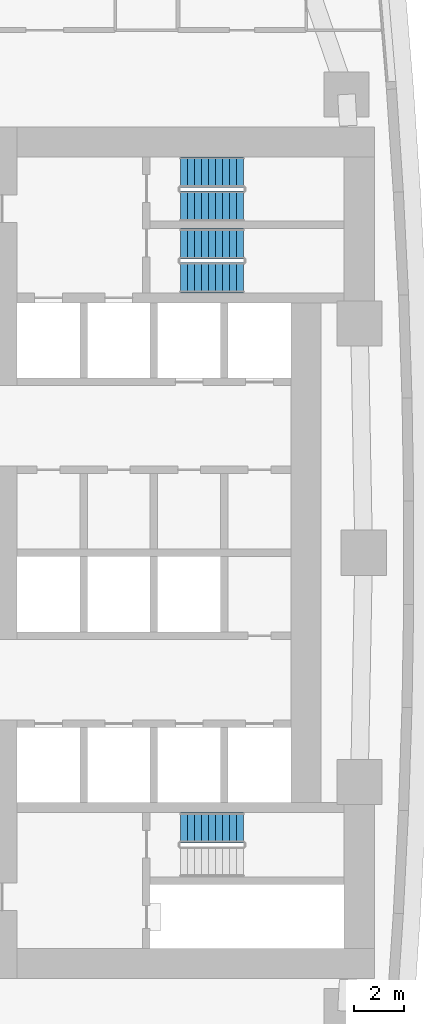
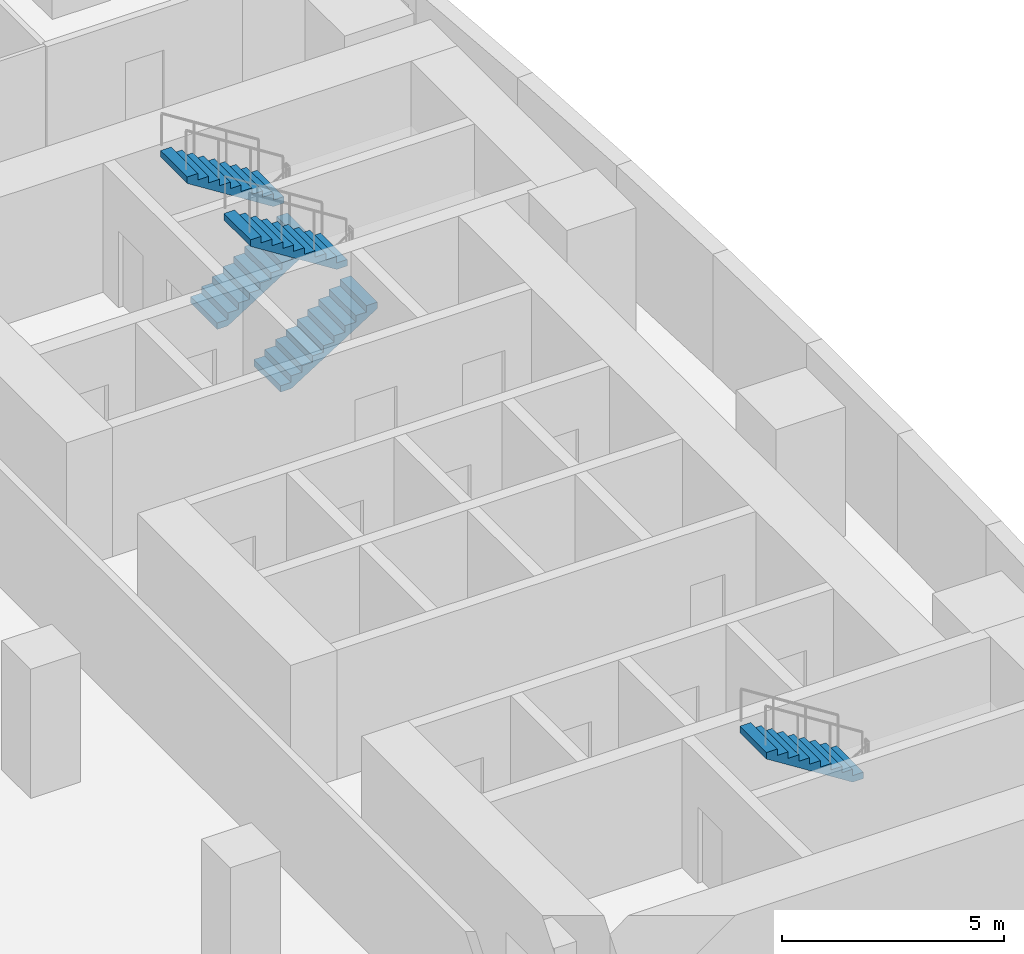
# One storey, part 14 of 19: 5 stair flights, 3 elements without a shape of their own.
"""IFC4 building model written with IfcOpenShell, lengths in metres."""

import ifcopenshell
import ifcopenshell.guid

model = None  # the IFC model being written
_history = None  # IfcOwnerHistory: only IFC2X3 demands one
_inside = {}  # id of a spatial element -> (the spatial element, [elements in it])
_under = {}  # id of a project, library or spatial element -> (it, [spatial elements below it])
_declared = {}  # id of a project -> (the project, [libraries it declares])
_typed = {}  # id of a type object -> (the type object, [elements of that type])
_made_of = {}  # id of a material, layer set ... -> (it, [elements and type objects made of it])


def new_model(schema):
    """Start an empty IFC model of exactly this schema.

    Asked for "IFC4X3", IfcOpenShell would pick the latest addendum, in which some entities
    have other attributes; the version numbers below select the first issue.
    IFC2X3 requires an IfcOwnerHistory on every rooted entity: one is made here for all.
    """
    global model, _history
    if schema == "IFC4X3":
        model = ifcopenshell.file(schema_version=(4, 3, 0, 0))
    else:
        model = ifcopenshell.file(schema=schema)
    _inside.clear()
    _under.clear()
    _declared.clear()
    _typed.clear()
    _made_of.clear()
    _history = None
    if model.schema == "IFC2X3":
        org = make("IfcOrganization", Name="unknown")
        user = make(
            "IfcPersonAndOrganization",
            ThePerson=make("IfcPerson", FamilyName="unknown"),
            TheOrganization=org,
        )
        app = make(
            "IfcApplication",
            ApplicationDeveloper=org,
            Version="unknown",
            ApplicationFullName="unknown",
            ApplicationIdentifier="unknown",
        )
        _history = make(
            "IfcOwnerHistory",
            OwningUser=user,
            OwningApplication=app,
            ChangeAction="ADDED",
            CreationDate=0,
        )
    return model


def make(cls, **values):
    """One entity of the class cls with the attributes given. An attribute that is None is left unset."""
    return model.create_entity(
        cls, **{name: value for name, value in values.items() if value is not None}
    )


def rooted(cls, **values):
    """An entity with a GlobalId (a new one), such as an element, a storey or a relation."""
    return make(cls, GlobalId=ifcopenshell.guid.new(), OwnerHistory=_history, **values)


def si_unit(unit_type, name, prefix=None):
    """IfcSIUnit, for example si_unit("LENGTHUNIT", "METRE", prefix="MILLI")."""
    return make("IfcSIUnit", UnitType=unit_type, Prefix=prefix, Name=name)


def assignment(units):
    """IfcUnitAssignment: the units of a project."""
    return None if units is None else make("IfcUnitAssignment", Units=units)


def point(xyz):
    """IfcCartesianPoint."""
    return None if xyz is None else make("IfcCartesianPoint", Coordinates=xyz)


def direction(xyz):
    """IfcDirection."""
    return None if xyz is None else make("IfcDirection", DirectionRatios=xyz)


def frame(location, z_axis=None, x_axis=None):
    """IfcAxis2Placement3D, a coordinate frame: its origin and axes. An axis left out is left unset."""
    return make(
        "IfcAxis2Placement3D",
        Location=point(location),
        Axis=direction(z_axis),
        RefDirection=direction(x_axis),
    )


def origin():
    """The frame at (0, 0, 0) with its axes left unset."""
    return frame((0.0, 0.0, 0.0))


def place(relative_to, where):
    """IfcLocalPlacement: puts the frame where relative to a parent placement (None: the world)."""
    return make(
        "IfcLocalPlacement", PlacementRelTo=relative_to, RelativePlacement=where
    )


def context(
    kind, dimensions, precision=None, world=None, true_north=None, identifier=None
):
    """IfcGeometricRepresentationContext, for example the 3D "Model" context."""
    return make(
        "IfcGeometricRepresentationContext",
        ContextIdentifier=identifier,
        ContextType=kind,
        CoordinateSpaceDimension=dimensions,
        Precision=precision,
        WorldCoordinateSystem=world,
        TrueNorth=true_north,
    )


def subcontext(parent, identifier, kind, view, scale=None):
    """IfcGeometricRepresentationSubContext, for example "Body" below "Model"."""
    return make(
        "IfcGeometricRepresentationSubContext",
        ContextIdentifier=identifier,
        ContextType=kind,
        ParentContext=parent,
        TargetScale=scale,
        TargetView=view,
    )


def project(units=None, contexts=None):
    """IfcProject with its units and contexts."""
    return rooted(
        "IfcProject",
        Name="project",
        RepresentationContexts=contexts,
        UnitsInContext=assignment(units),
    )


def spatial(cls, under=None, at=None, **own):
    """A site, building, storey or space (cls), placed at a placement, below another one or the project."""
    s = rooted(cls, ObjectPlacement=at, **own)
    if under is not None:
        _under.setdefault(under.id(), (under, []))[1].append(s)
    return s


def polyline(points):
    """IfcPolyline through the points."""
    return make("IfcPolyline", Points=[point(p) for p in points])


def outline(outer, holes=None, kind="AREA"):
    """IfcArbitraryClosedProfileDef: a profile drawn as a closed curve; with holes, ...WithVoids."""
    if holes is None:
        return make("IfcArbitraryClosedProfileDef", ProfileType=kind, OuterCurve=outer)
    return make(
        "IfcArbitraryProfileDefWithVoids",
        ProfileType=kind,
        OuterCurve=outer,
        InnerCurves=holes,
    )


def extrude(swept, where, along, depth):
    """IfcExtrudedAreaSolid: the profile swept, set in the frame where, extruded along a direction by depth."""
    return make(
        "IfcExtrudedAreaSolid",
        SweptArea=swept,
        Position=where,
        ExtrudedDirection=direction(along),
        Depth=depth,
    )


def shape(context_of_items, identifier, shape_type, items):
    """IfcShapeRepresentation: the items that make up one representation, for example the "Body"."""
    return make(
        "IfcShapeRepresentation",
        ContextOfItems=context_of_items,
        RepresentationIdentifier=identifier,
        RepresentationType=shape_type,
        Items=items,
    )


def material(Name=None, Category=None):
    """IfcMaterial."""
    return make("IfcMaterial", Name=Name, Category=Category)


def made_of(thing, what):
    """Note that an element or type object is made of a material, layer set ...; save() writes the relation."""
    if what is not None:
        _made_of.setdefault(what.id(), (what, []))[1].append(thing)
    return thing


def type_object(cls, material=None, **own):
    """A type object (cls), such as IfcWallType, which elements share."""
    return made_of(rooted(cls, **own), material)


def element(
    cls,
    number,
    at=None,
    inside=None,
    cuts=None,
    type_object=None,
    material=None,
    context=None,
    identifier="Body",
    shape_type=None,
    held_by="IfcProductDefinitionShape",
    body=None,
    shapes=None,
    **own,
):
    """One element of the class cls, such as IfcWall. Its Tag is "e" and its number.

    at: its placement. inside: the storey or other place that contains it. cuts: it is an
    opening in that element (IfcRelVoidsElement). A single representation is given by context,
    identifier, shape_type and body (its items); several are given by shapes. held_by: the class
    of the entity that holds the representations. save() writes the other relations.
    """
    e = rooted(cls, Tag="e%d" % number, ObjectPlacement=at, **own)
    if body is not None:
        shapes = [shape(context, identifier, shape_type, body)]
    if shapes is not None:
        e.Representation = make(held_by, Representations=shapes)
    if inside is not None:
        _inside.setdefault(inside.id(), (inside, []))[1].append(e)
    if cuts is not None:
        rooted(
            "IfcRelVoidsElement", RelatingBuildingElement=cuts, RelatedOpeningElement=e
        )
    if type_object is not None:
        _typed.setdefault(type_object.id(), (type_object, []))[1].append(e)
    return made_of(e, material)


def aggregate(whole, parts):
    """IfcRelAggregates: a whole, such as a stair, and the parts it consists of."""
    return rooted("IfcRelAggregates", RelatingObject=whole, RelatedObjects=parts)


def save(model, path):
    """Write the relations noted so far, then the file.

    IfcRelAggregates (storeys below a building ...), IfcRelContainedInSpatialStructure (elements
    in a storey), IfcRelDefinesByType, IfcRelAssociatesMaterial and IfcRelDeclares: one each for
    every whole, place, type object, material and project.
    """
    for whole, parts in _under.values():
        aggregate(whole, parts)
    for where, things in _inside.values():
        rooted(
            "IfcRelContainedInSpatialStructure",
            RelatedElements=things,
            RelatingStructure=where,
        )
    for kind, things in _typed.values():
        rooted("IfcRelDefinesByType", RelatedObjects=things, RelatingType=kind)
    for what, things in _made_of.values():
        rooted("IfcRelAssociatesMaterial", RelatedObjects=things, RelatingMaterial=what)
    for by, libraries in _declared.values():
        rooted("IfcRelDeclares", RelatingContext=by, RelatedDefinitions=libraries)
    model.write(path)


model = new_model("IFC4")

# Units and contexts
model_context = context("Model", 3, precision=1e-05, world=origin(), true_north=direction((0.0, 1.0)))
body_context = subcontext(model_context, "Body", "Model", "MODEL_VIEW")
ifc_project = project(units=[si_unit("LENGTHUNIT", "METRE"), si_unit("AREAUNIT", "SQUARE_METRE"), si_unit("VOLUMEUNIT", "CUBIC_METRE"), si_unit("PLANEANGLEUNIT", "RADIAN"), si_unit("MASSUNIT", "GRAM", prefix="KILO")], contexts=[model_context])

# Site, building, storey
site_placement = place(None, origin())
site = spatial("IfcSite", under=ifc_project, at=site_placement, CompositionType="ELEMENT")
building_placement = place(site_placement, origin())
building = spatial("IfcBuilding", under=site, at=building_placement, Name="Ostrand Prow Hotel Tower", CompositionType="ELEMENT")
storey_placement = place(building_placement, frame((0.0, 0.0, 60.89990234375)))
storey = spatial("IfcBuildingStorey", under=building, at=storey_placement, Name="L13", CompositionType="ELEMENT", Elevation=60.89990234375)

# Stair, stair flights
ifc_material_1 = material(Name="Concrete C40/50", Category="concrete")
stair_type = type_object("IfcStairType", Name="Exit stair 1200 upper zone", PredefinedType="HALF_TURN_STAIR", material=ifc_material_1)
stair_1_placement = place(storey_placement, origin())
stair_1 = element("IfcStair", 1, at=stair_1_placement, inside=storey, type_object=stair_type, Name="L13 ST1C", PredefinedType="HALF_TURN_STAIR")
ifc_material_2 = material(Name="Concrete C40/50", Category="concrete")
stair_flight_type = type_object("IfcStairFlightType", Name="Stair flight 1200 concrete", PredefinedType="STRAIGHT", material=ifc_material_2)
stair_flight_1_placement = place(storey_placement, frame((57.199951171875, 10.949951171875, 0.0), z_axis=(0.0, 0.0, 1.0), x_axis=(1.0, 0.0, 0.0)))
stair_flight_1 = element("IfcStairFlight", 2, at=stair_flight_1_placement, type_object=stair_flight_type, Name="ST1C flight 1", NumberOfRisers=10, NumberOfTreads=9, PredefinedType="STRAIGHT", RiserHeight=0.1775, TreadLength=0.28, context=body_context, shape_type="SweptSolid", body=[
    extrude(outline(polyline([(0.0, 0.0), (0.0, 0.177490234375), (0.280029296875, 0.177490234375), (0.280029296875, 0.35498046875), (0.56005859375, 0.35498046875), (0.56005859375, 0.532470703125), (0.840087890625, 0.532470703125), (0.840087890625, 0.7099609375), (1.1201171875, 0.7099609375), (1.1201171875, 0.887451171875), (1.39990234375, 0.887451171875), (1.39990234375, 1.06494140625), (1.679931640625, 1.06494140625), (1.679931640625, 1.242431640625), (1.9599609375, 1.242431640625), (1.9599609375, 1.419921875), (2.239990234375, 1.419921875), (2.239990234375, 1.597412109375), (2.52001953125, 1.597412109375), (2.52001953125, 1.77490234375), (2.52001953125, 1.419921875), (0.280029296875, 0.0), (0.0, 0.0)])), frame((0.0, 0.60009765625, 0.0), z_axis=(0.0, -1.0, 0.0), x_axis=(1.0, 0.0, 0.0)), (0.0, 0.0, 1.0), 1.199951171875),
])
stair_flight_2_placement = place(storey_placement, frame((59.719970703125, 12.300048828125, 1.775146484375), z_axis=(0.0, 0.0, 1.0), x_axis=(-1.0, 0.0, 0.0)))
stair_flight_2 = element("IfcStairFlight", 3, at=stair_flight_2_placement, type_object=stair_flight_type, Name="ST1C flight 2", NumberOfRisers=10, NumberOfTreads=9, PredefinedType="STRAIGHT", RiserHeight=0.1775, TreadLength=0.28, context=body_context, shape_type="SweptSolid", body=[
    extrude(outline(polyline([(0.0, 0.0), (0.0, 0.177490234375), (0.280029296875, 0.177490234375), (0.280029296875, 0.35498046875), (0.56005859375, 0.35498046875), (0.56005859375, 0.532470703125), (0.840087890625, 0.532470703125), (0.840087890625, 0.7099609375), (1.1201171875, 0.7099609375), (1.1201171875, 0.887451171875), (1.39990234375, 0.887451171875), (1.39990234375, 1.06494140625), (1.679931640625, 1.06494140625), (1.679931640625, 1.242431640625), (1.9599609375, 1.242431640625), (1.9599609375, 1.419921875), (2.239990234375, 1.419921875), (2.239990234375, 1.597412109375), (2.52001953125, 1.597412109375), (2.52001953125, 1.77490234375), (2.52001953125, 1.419921875), (0.280029296875, 0.0), (0.0, 0.0)])), frame((0.0, 0.60009765625, 0.0), z_axis=(0.0, -1.0, 0.0), x_axis=(1.0, 0.0, 0.0)), (0.0, 0.0, 1.0), 1.199951171875),
])
aggregate(stair_1, [stair_flight_1, stair_flight_2])

stair_2_placement = place(storey_placement, origin())
stair_2 = element("IfcStair", 4, at=stair_2_placement, inside=storey, type_object=stair_type, Name="L13 ST3C", PredefinedType="HALF_TURN_STAIR")
stair_flight_3_placement = place(storey_placement, frame((57.199951171875, 13.800048828125, 0.0), z_axis=(0.0, 0.0, 1.0), x_axis=(1.0, 0.0, 0.0)))
stair_flight_3 = element("IfcStairFlight", 5, at=stair_flight_3_placement, type_object=stair_flight_type, Name="ST3C flight 1", NumberOfRisers=10, NumberOfTreads=9, PredefinedType="STRAIGHT", RiserHeight=0.1775, TreadLength=0.28, context=body_context, shape_type="SweptSolid", body=[
    extrude(outline(polyline([(0.0, 0.0), (0.0, 0.177490234375), (0.280029296875, 0.177490234375), (0.280029296875, 0.35498046875), (0.56005859375, 0.35498046875), (0.56005859375, 0.532470703125), (0.840087890625, 0.532470703125), (0.840087890625, 0.7099609375), (1.1201171875, 0.7099609375), (1.1201171875, 0.887451171875), (1.39990234375, 0.887451171875), (1.39990234375, 1.06494140625), (1.679931640625, 1.06494140625), (1.679931640625, 1.242431640625), (1.9599609375, 1.242431640625), (1.9599609375, 1.419921875), (2.239990234375, 1.419921875), (2.239990234375, 1.597412109375), (2.52001953125, 1.597412109375), (2.52001953125, 1.77490234375), (2.52001953125, 1.419921875), (0.280029296875, 0.0), (0.0, 0.0)])), frame((0.0, 0.60009765625, 0.0), z_axis=(0.0, -1.0, 0.0), x_axis=(1.0, 0.0, 0.0)), (0.0, 0.0, 1.0), 1.199951171875),
])
stair_flight_4_placement = place(storey_placement, frame((59.719970703125, 15.14990234375, 1.775146484375), z_axis=(0.0, 0.0, 1.0), x_axis=(-1.0, 0.0, 0.0)))
stair_flight_4 = element("IfcStairFlight", 6, at=stair_flight_4_placement, type_object=stair_flight_type, Name="ST3C flight 2", NumberOfRisers=10, NumberOfTreads=9, PredefinedType="STRAIGHT", RiserHeight=0.1775, TreadLength=0.28, context=body_context, shape_type="SweptSolid", body=[
    extrude(outline(polyline([(0.0, 0.0), (0.0, 0.177490234375), (0.280029296875, 0.177490234375), (0.280029296875, 0.35498046875), (0.56005859375, 0.35498046875), (0.56005859375, 0.532470703125), (0.840087890625, 0.532470703125), (0.840087890625, 0.7099609375), (1.1201171875, 0.7099609375), (1.1201171875, 0.887451171875), (1.39990234375, 0.887451171875), (1.39990234375, 1.06494140625), (1.679931640625, 1.06494140625), (1.679931640625, 1.242431640625), (1.9599609375, 1.242431640625), (1.9599609375, 1.419921875), (2.239990234375, 1.419921875), (2.239990234375, 1.597412109375), (2.52001953125, 1.597412109375), (2.52001953125, 1.77490234375), (2.52001953125, 1.419921875), (0.280029296875, 0.0), (0.0, 0.0)])), frame((0.0, 0.60009765625, 0.0), z_axis=(0.0, -1.0, 0.0), x_axis=(1.0, 0.0, 0.0)), (0.0, 0.0, 1.0), 1.199951171875),
])
aggregate(stair_2, [stair_flight_3, stair_flight_4])

# Stair, stair flight
stair_3_placement = place(storey_placement, origin())
stair_3 = element("IfcStair", 7, at=stair_3_placement, inside=storey, type_object=stair_type, Name="L13 ST2C", PredefinedType="HALF_TURN_STAIR")
stair_flight_5_placement = place(storey_placement, frame((59.719970703125, -10.949951171875, 1.775146484375), z_axis=(0.0, 0.0, 1.0), x_axis=(-1.0, 0.0, 0.0)))
stair_flight_5 = element("IfcStairFlight", 8, at=stair_flight_5_placement, type_object=stair_flight_type, Name="ST2C flight 2", NumberOfRisers=10, NumberOfTreads=9, PredefinedType="STRAIGHT", RiserHeight=0.1775, TreadLength=0.28, context=body_context, shape_type="SweptSolid", body=[
    extrude(outline(polyline([(0.0, 0.0), (0.0, 0.177490234375), (0.280029296875, 0.177490234375), (0.280029296875, 0.35498046875), (0.56005859375, 0.35498046875), (0.56005859375, 0.532470703125), (0.840087890625, 0.532470703125), (0.840087890625, 0.7099609375), (1.1201171875, 0.7099609375), (1.1201171875, 0.887451171875), (1.39990234375, 0.887451171875), (1.39990234375, 1.06494140625), (1.679931640625, 1.06494140625), (1.679931640625, 1.242431640625), (1.9599609375, 1.242431640625), (1.9599609375, 1.419921875), (2.239990234375, 1.419921875), (2.239990234375, 1.597412109375), (2.52001953125, 1.597412109375), (2.52001953125, 1.77490234375), (2.52001953125, 1.419921875), (0.280029296875, 0.0), (0.0, 0.0)])), frame((0.0, 0.60009765625, 0.0), z_axis=(0.0, -1.0, 0.0), x_axis=(1.0, 0.0, 0.0)), (0.0, 0.0, 1.0), 1.199951171875),
])
aggregate(stair_3, [stair_flight_5])

save(model, "model.ifc")
